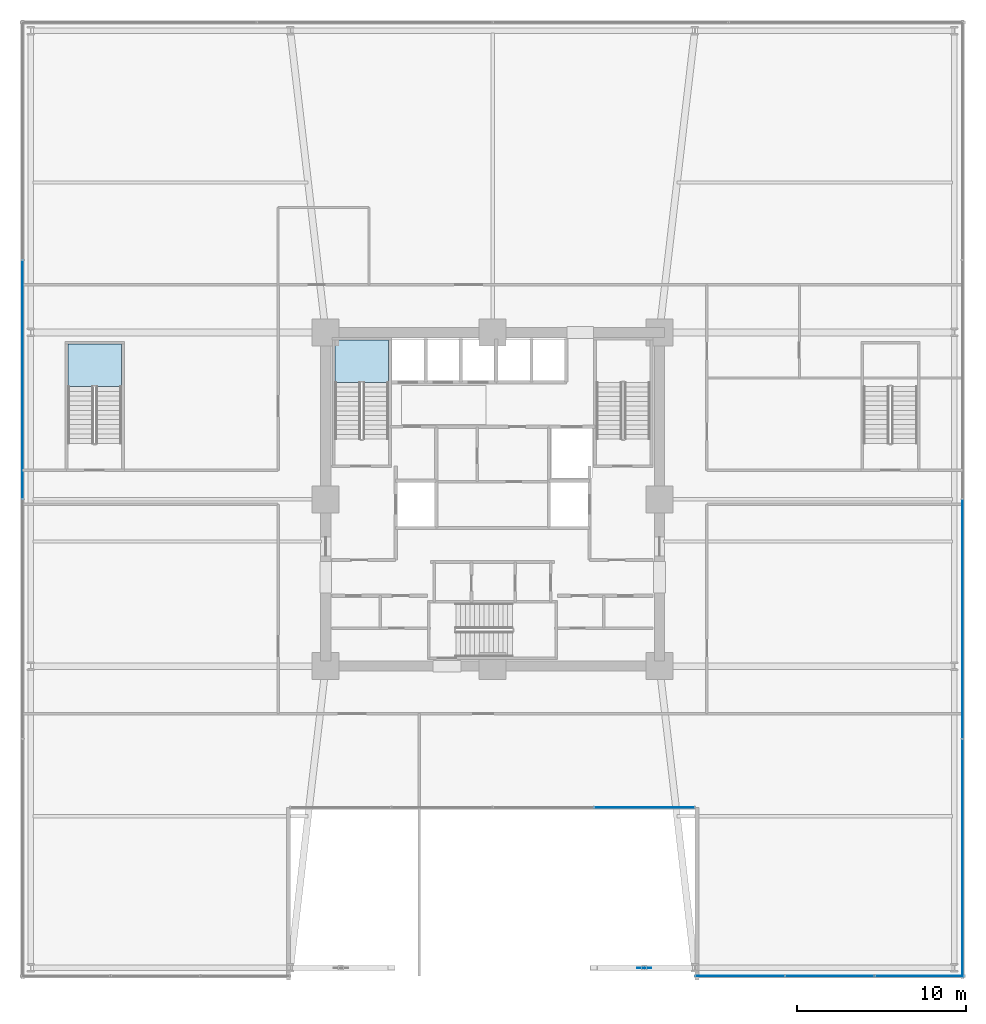
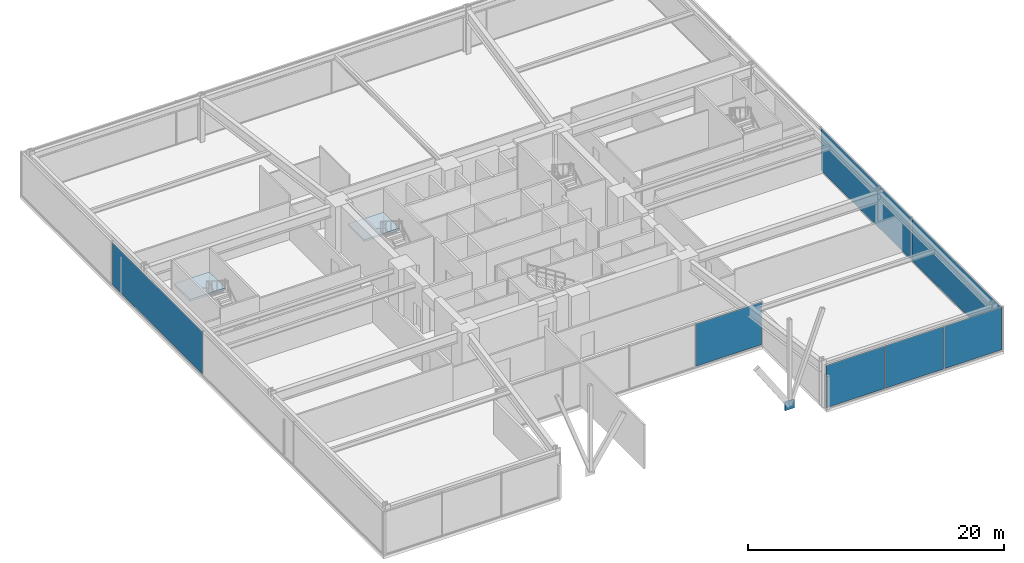
# One storey, part 39 of 47: 8 plates, 2 slabs, 6 elements without a shape of their own.
"""IFC4 building model written with IfcOpenShell, lengths in metres."""

from ifc_helpers import new_model, si_unit, direction, frame, origin, origin_2d, place, context, subcontext, project, spatial, polyline, rectangle, outline, extrude, material, layer, layer_set, type_object, element, aggregate, save


model = new_model("IFC4")

# Units and contexts
model_context = context("Model", 3, precision=1e-05, world=origin(), true_north=direction((0.0, 1.0)))
body_context = subcontext(model_context, "Body", "Model", "MODEL_VIEW")
ifc_project = project(units=[si_unit("LENGTHUNIT", "METRE"), si_unit("AREAUNIT", "SQUARE_METRE"), si_unit("VOLUMEUNIT", "CUBIC_METRE"), si_unit("PLANEANGLEUNIT", "RADIAN"), si_unit("MASSUNIT", "GRAM", prefix="KILO")], contexts=[model_context])

# Site, building, storey
site_placement = place(None, origin())
site = spatial("IfcSite", under=ifc_project, at=site_placement, CompositionType="ELEMENT")
building_placement = place(site_placement, origin())
building = spatial("IfcBuilding", under=site, at=building_placement, Name="Kolvaren Belvedere", CompositionType="ELEMENT")
storey_placement = place(building_placement, frame((0.0, 0.0, 5.5)))
storey = spatial("IfcBuildingStorey", under=building, at=storey_placement, Name="L02", CompositionType="ELEMENT", Elevation=5.5)

# Curtain wall, plate
ifc_material_1 = material(Name="Anodised pale-metal aluminium AA 6063-T6", Category="aluminium")
curtain_wall_type = type_object("IfcCurtainWallType", Name="CW-POD-A", PredefinedType="NOTDEFINED", material=ifc_material_1)
curtain_wall_1_placement = place(storey_placement, origin())
curtain_wall_1 = element("IfcCurtainWall", 1, at=curtain_wall_1_placement, inside=storey, type_object=curtain_wall_type, Name="L02 Unitised Curtain Wall FCW-L02-SEG3", PredefinedType="NOTDEFINED")
ifc_material_2 = material(Name="Low-iron laminated vision glass", Category="glass")
ifc_layer_1 = layer(ifc_material_2, 0.031982421875)
ifc_layer_set_1 = layer_set([ifc_layer_1], Name="Low-iron laminated vision glass")
plate_type_1 = type_object("IfcPlateType", Name="CW-PNL-VIS32", PredefinedType="CURTAIN_PANEL", material=ifc_layer_set_1)
plate_1_placement = place(storey_placement, frame((9.0, -18.280029296875, 0.080078125), z_axis=(0.0, 0.0, 1.0), x_axis=(-1.0, 0.0, 0.0)))
plate_1 = element("IfcPlate", 2, at=plate_1_placement, type_object=plate_type_1, Name="FCW-L02-SEG3 Vision Glazing Panel 1", PredefinedType="CURTAIN_PANEL", context=body_context, shape_type="SweptSolid", body=[
    extrude(rectangle(XDim=5.919921875, YDim=0.031982421875, at=origin_2d()), origin(), (0.0, 0.0, 1.0), 4.06005859375),
])
aggregate(curtain_wall_1, [plate_1])

# Curtain wall, plates
curtain_wall_2_placement = place(storey_placement, origin())
curtain_wall_2 = element("IfcCurtainWall", 3, at=curtain_wall_2_placement, inside=storey, type_object=curtain_wall_type, Name="L02 Unitised Curtain Wall FCW-L02-SEG5", PredefinedType="NOTDEFINED")
plate_2_placement = place(storey_placement, frame((25.333251953125, -28.280029296875, 0.080078125), z_axis=(0.0, 0.0, 1.0), x_axis=(-1.0, 0.0, 0.0)))
plate_2 = element("IfcPlate", 4, at=plate_2_placement, type_object=plate_type_1, Name="FCW-L02-SEG5 Vision Glazing Panel 1", PredefinedType="CURTAIN_PANEL", context=body_context, shape_type="SweptSolid", body=[
    extrude(rectangle(XDim=5.25341796875, YDim=0.031982421875, at=origin_2d()), origin(), (0.0, 0.0, 1.0), 4.06005859375),
])
plate_3_placement = place(storey_placement, frame((20.0, -28.280029296875, 0.080078125), z_axis=(0.0, 0.0, 1.0), x_axis=(-1.0, 0.0, 0.0)))
plate_3 = element("IfcPlate", 5, at=plate_3_placement, type_object=plate_type_1, Name="FCW-L02-SEG5 Vision Glazing Panel 2", PredefinedType="CURTAIN_PANEL", context=body_context, shape_type="SweptSolid", body=[
    extrude(rectangle(XDim=5.25341796875, YDim=0.031982421875, at=origin_2d()), origin(), (0.0, 0.0, 1.0), 4.06005859375),
])
plate_4_placement = place(storey_placement, frame((14.666748046875, -28.280029296875, 0.080078125), z_axis=(0.0, 0.0, 1.0), x_axis=(-1.0, 0.0, 0.0)))
plate_4 = element("IfcPlate", 6, at=plate_4_placement, type_object=plate_type_1, Name="FCW-L02-SEG5 Vision Glazing Panel 3", PredefinedType="CURTAIN_PANEL", context=body_context, shape_type="SweptSolid", body=[
    extrude(rectangle(XDim=5.25341796875, YDim=0.031982421875, at=origin_2d()), origin(), (0.0, 0.0, 1.0), 4.06005859375),
])
aggregate(curtain_wall_2, [plate_2, plate_3, plate_4])

curtain_wall_3_placement = place(storey_placement, origin())
curtain_wall_3 = element("IfcCurtainWall", 7, at=curtain_wall_3_placement, inside=storey, type_object=curtain_wall_type, Name="L02 Unitised Curtain Wall FCW-L02-SEG6", PredefinedType="NOTDEFINED")
plate_5_placement = place(storey_placement, frame((27.8798828125, -7.10009765625, 0.080078125), z_axis=(0.0, 0.0, 1.0), x_axis=(0.0, -1.0, 0.0)))
plate_5 = element("IfcPlate", 8, at=plate_5_placement, type_object=plate_type_1, Name="FCW-L02-SEG6 Vision Glazing Panel 3", PredefinedType="CURTAIN_PANEL", context=body_context, shape_type="SweptSolid", body=[
    extrude(rectangle(XDim=14.1201171875, YDim=0.031982421875, at=origin_2d()), origin(), (0.0, 0.0, 1.0), 4.06005859375),
])
plate_6_placement = place(storey_placement, frame((27.8798828125, -21.300048828125, 0.080078125), z_axis=(0.0, 0.0, 1.0), x_axis=(0.0, -1.0, 0.0)))
plate_6 = element("IfcPlate", 9, at=plate_6_placement, type_object=plate_type_1, Name="FCW-L02-SEG6 Vision Glazing Panel 4", PredefinedType="CURTAIN_PANEL", context=body_context, shape_type="SweptSolid", body=[
    extrude(rectangle(XDim=14.1201171875, YDim=0.031982421875, at=origin_2d()), origin(), (0.0, 0.0, 1.0), 4.06005859375),
])
aggregate(curtain_wall_3, [plate_5, plate_6])

# Curtain wall, plate
curtain_wall_4_placement = place(storey_placement, origin())
curtain_wall_4 = element("IfcCurtainWall", 10, at=curtain_wall_4_placement, inside=storey, type_object=curtain_wall_type, Name="L02 Unitised Curtain Wall FCW-L02-SEG8", PredefinedType="NOTDEFINED")
plate_7_placement = place(storey_placement, frame((-27.8798828125, 7.10009765625, 0.080078125), z_axis=(0.0, 0.0, 1.0), x_axis=(0.0, 1.0, 0.0)))
plate_7 = element("IfcPlate", 11, at=plate_7_placement, type_object=plate_type_1, Name="FCW-L02-SEG8 Vision Glazing Panel 3", PredefinedType="CURTAIN_PANEL", context=body_context, shape_type="SweptSolid", body=[
    extrude(rectangle(XDim=14.1201171875, YDim=0.031982421875, at=origin_2d()), origin(), (0.0, 0.0, 1.0), 4.06005859375),
])
aggregate(curtain_wall_4, [plate_7])

# Plate
ifc_material_3 = material(Name="Structural steel ASTM A572 Grade 50", Category="steel")
ifc_layer_2 = layer(ifc_material_3, 0.0400390625)
ifc_layer_set_2 = layer_set([ifc_layer_2], Name="Structural steel ASTM A572 Grade 50")
plate_type_2 = type_object("IfcPlateType", Name="PL-GUSSET-40", PredefinedType="USERDEFINED", material=ifc_layer_set_2)
plate_8_placement = place(storey_placement, frame((9.0, -27.800048828125, 0.71875), z_axis=(0.0, 0.0, 1.0), x_axis=(1.0, 0.0, 0.0)))
element("IfcPlate", 12, at=plate_8_placement, inside=storey, type_object=plate_type_2, Name="Portal Arch Gusset Plate AN-8", ObjectType="GUSSET PLATE", PredefinedType="USERDEFINED", context=body_context, shape_type="SweptSolid", body=[
    extrude(rectangle(XDim=0.85009765625, YDim=0.0400390625, at=origin_2d()), origin(), (0.0, 0.0, 1.0), 0.85009765625),
])

# Stair, slab
ifc_material_4 = material(Name="Concrete C50/60", Category="concrete")
stair_type_1 = type_object("IfcStairType", Name="ST-CORE-1520", PredefinedType="HALF_TURN_STAIR", material=ifc_material_4)
stair_1_placement = place(storey_placement, origin())
stair_1 = element("IfcStair", 13, at=stair_1_placement, inside=storey, type_object=stair_type_1, Name="L02 Protected Exit Stair ST-1", PredefinedType="HALF_TURN_STAIR")
ifc_material_5 = material(Name="Concrete C50/60", Category="concrete")
ifc_layer_3 = layer(ifc_material_5, 0.260009765625)
ifc_layer_set_3 = layer_set([ifc_layer_3], Name="Concrete C50/60")
slab_type = type_object("IfcSlabType", Name="SL-LAND-260", PredefinedType="LANDING", material=ifc_layer_set_3)
slab_1_placement = place(storey_placement, frame((0.0, 0.0, 2.050048828125)))
slab_1 = element("IfcSlab", 14, at=slab_1_placement, type_object=slab_type, Name="ST-1 landing 1", PredefinedType="LANDING", context=body_context, shape_type="SweptSolid", body=[
    extrude(outline(polyline([(-6.159912109375, 6.929931640625), (-6.159912109375, 9.449951171875), (-9.35009765625, 9.449951171875), (-9.35009765625, 6.929931640625), (-6.159912109375, 6.929931640625)])), origin(), (0.0, 0.0, 1.0), 0.199951171875),
])
aggregate(stair_1, [slab_1])

ifc_material_6 = material(Name="Concrete C50/60", Category="concrete")
stair_type_2 = type_object("IfcStairType", Name="ST-POD-1520", PredefinedType="HALF_TURN_STAIR", material=ifc_material_6)
stair_2_placement = place(storey_placement, origin())
stair_2 = element("IfcStair", 15, at=stair_2_placement, inside=storey, type_object=stair_type_2, Name="L02 Podium Exit Stair ST-P1", PredefinedType="HALF_TURN_STAIR")
slab_2_placement = place(storey_placement, frame((0.0, 0.0, 2.050048828125)))
slab_2 = element("IfcSlab", 16, at=slab_2_placement, type_object=slab_type, Name="ST-P1 landing 1", PredefinedType="LANDING", context=body_context, shape_type="SweptSolid", body=[
    extrude(outline(polyline([(-22.010009765625, 6.679931640625), (-22.010009765625, 9.199951171875), (-25.199951171875, 9.199951171875), (-25.199951171875, 6.679931640625), (-22.010009765625, 6.679931640625)])), origin(), (0.0, 0.0, 1.0), 0.199951171875),
])
aggregate(stair_2, [slab_2])

save(model, "model.ifc")
